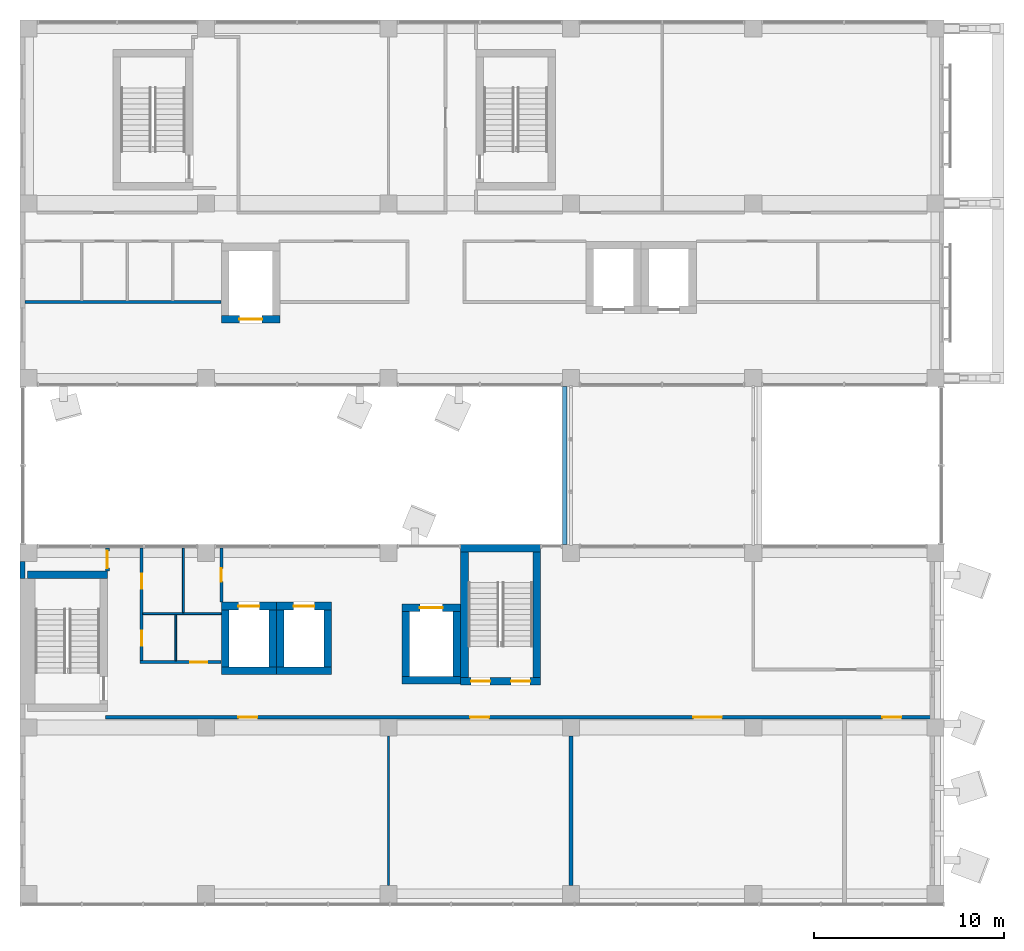
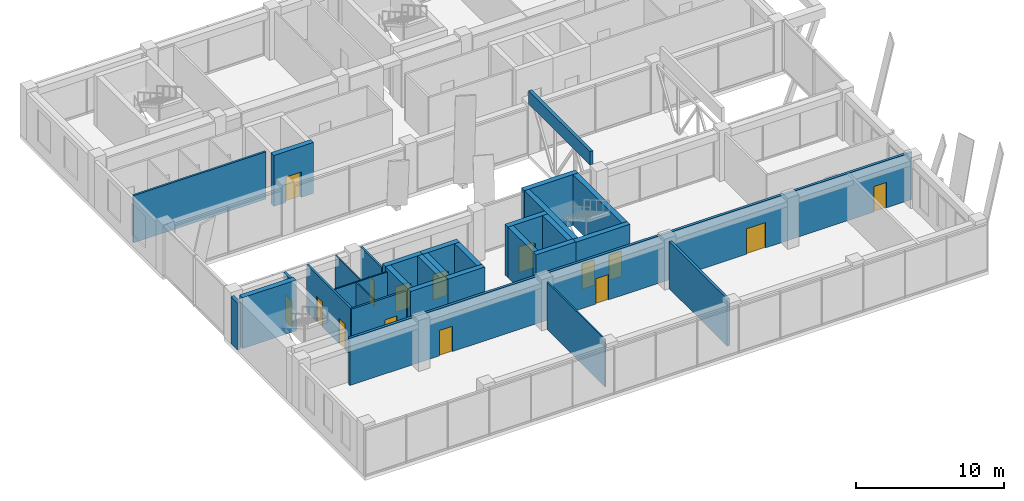
# One storey, part 28 of 38: 31 walls, 15 doors, 15 openings.
"""IFC4 building model written with IfcOpenShell, lengths in metres."""

from ifc_helpers import new_model, si_unit, direction, frame, frame_2d, origin, place, context, subcontext, project, spatial, rectangle, extrude, material, layer, layer_set, layer_usage, type_object, element, fill, save


model = new_model("IFC4")

# Units and contexts
model_context = context("Model", 3, precision=1e-05, world=origin(), true_north=direction((0.0, 1.0)))
body_context = subcontext(model_context, "Body", "Model", "MODEL_VIEW")
ifc_project = project(units=[si_unit("LENGTHUNIT", "METRE"), si_unit("AREAUNIT", "SQUARE_METRE"), si_unit("VOLUMEUNIT", "CUBIC_METRE"), si_unit("PLANEANGLEUNIT", "RADIAN"), si_unit("MASSUNIT", "GRAM", prefix="KILO")], contexts=[model_context])

# Site, building, storey
site_placement = place(None, origin())
site = spatial("IfcSite", under=ifc_project, at=site_placement, CompositionType="ELEMENT")
building_placement = place(site_placement, origin())
building = spatial("IfcBuilding", under=site, at=building_placement, Name="Nzadi Deep Aquarium and Research Tower", CompositionType="ELEMENT")
storey_placement = place(building_placement, frame((0.0, 0.0, 48.699951171875)))
storey = spatial("IfcBuildingStorey", under=building, at=storey_placement, Name="L09", CompositionType="ELEMENT", Elevation=48.699951171875)

# Walls
ifc_material_1 = material(Name="Graphite aluminium shingle", Category="aluminium")
ifc_layer_1 = layer(ifc_material_1, 0.050048828125, Category="cladding")
ifc_material_2 = material(Name="Concrete C35/45", Category="concrete")
ifc_layer_2 = layer(ifc_material_2, 0.10009765625, Category="cladding")
ifc_material_3 = material(Name="Mineral wool insulation")
ifc_layer_3 = layer(ifc_material_3, 0.070068359375, Category="insulation")
ifc_material_4 = material(Name="Gypsum board lining")
ifc_layer_4 = layer(ifc_material_4, 0.030029296875, Category="lining")
ifc_layer_set_1 = layer_set([ifc_layer_1, ifc_layer_2, ifc_layer_3, ifc_layer_4], Name="Graphite aluminium shingle, Concrete C35/45, Mineral wool insulation, Gypsum board lining")
ifc_layer_usage_1 = layer_usage(ifc_layer_set_1, "AXIS2", "POSITIVE", -0.125)
wall_type_1 = type_object("IfcWallType", Name="End wall shingle over board-formed concrete 250", PredefinedType="ELEMENTEDWALL", material=ifc_layer_set_1)
wall_1_placement = place(storey_placement, frame((-0.074462890625, 17.949951171875, 0.0), z_axis=(0.0, 0.0, 1.0), x_axis=(0.0, -1.0, 0.0)))
element("IfcWall", 1, at=wall_1_placement, inside=storey, type_object=wall_type_1, material=ifc_layer_usage_1, Name="End wall blade A west L09", PredefinedType="ELEMENTEDWALL", context=body_context, shape_type="SweptSolid", body=[
    extrude(rectangle(XDim=0.89990234375, YDim=0.25, at=frame_2d((0.449951171875, 0.0))), origin(), (0.0, 0.0, 1.0), 3.900146484375),
])
ifc_layer_5 = layer(ifc_material_2, 0.25, Category="structure")
ifc_layer_set_2 = layer_set([ifc_layer_5], Name="Concrete C35/45")
ifc_layer_usage_2 = layer_usage(ifc_layer_set_2, "AXIS2", "POSITIVE", -0.125)
wall_type_2 = type_object("IfcWallType", Name="Parapet board-formed concrete 250 link bridge roof", PredefinedType="PARAPET", material=ifc_layer_set_2)
wall_2_placement = place(storey_placement, frame((28.47509765625, 27.14990234375, 4.199951171875), z_axis=(0.0, 0.0, 1.0), x_axis=(0.0, -1.0, 0.0)))
element("IfcWall", 2, at=wall_2_placement, inside=storey, type_object=wall_type_2, material=ifc_layer_usage_2, Name="Parapet", PredefinedType="PARAPET", context=body_context, shape_type="SweptSolid", body=[
    extrude(rectangle(XDim=8.2998046875, YDim=0.25, at=frame_2d((4.14990234375, 0.0))), origin(), (0.0, 0.0, 1.0), 1.10009765625),
])
ifc_material_5 = material(Name="Blockwork masonry", Category="masonry")
ifc_layer_6 = layer(ifc_material_5, 0.10009765625)
ifc_layer_set_3 = layer_set([ifc_layer_6], Name="Blockwork masonry")
wall_type_3 = type_object("IfcWallType", Name="Partition 100 EI 30", PredefinedType="PARTITIONING", material=ifc_layer_set_3)
wall_3_placement = place(storey_placement, frame((6.27490234375, 15.199951171875, 0.0), z_axis=(0.0, 0.0, 1.0), x_axis=(1.0, 0.0, 0.0)))
element("IfcWall", 3, at=wall_3_placement, inside=storey, type_object=wall_type_3, Name="W-Z1-L09-P010", PredefinedType="PARTITIONING", context=body_context, shape_type="SweptSolid", body=[
    extrude(rectangle(XDim=4.119140625, YDim=0.10009765625, at=frame_2d((2.0595703125, 0.0))), origin(), (0.0, 0.0, 1.0), 3.900146484375),
])
wall_4_placement = place(storey_placement, frame((8.0, 12.72509765625, 0.0), z_axis=(0.0, 0.0, 1.0), x_axis=(0.0, 1.0, 0.0)))
element("IfcWall", 4, at=wall_4_placement, inside=storey, type_object=wall_type_3, Name="W-Z1-L09-P012", PredefinedType="PARTITIONING", context=body_context, shape_type="SweptSolid", body=[
    extrude(rectangle(XDim=2.4248046875, YDim=0.10009765625, at=frame_2d((1.21240234375, 0.0))), origin(), (0.0, 0.0, 1.0), 3.900146484375),
])
wall_5_placement = place(storey_placement, frame((8.39990234375, 15.25, 0.0), z_axis=(0.0, 0.0, 1.0), x_axis=(0.0, 1.0, 0.0)))
element("IfcWall", 5, at=wall_5_placement, inside=storey, type_object=wall_type_3, Name="W-Z1-L09-P013", PredefinedType="PARTITIONING", context=body_context, shape_type="SweptSolid", body=[
    extrude(rectangle(XDim=3.39404296875, YDim=0.10009765625, at=frame_2d((1.697021484375, 0.0))), origin(), (0.0, 0.0, 1.0), 3.900146484375),
])
wall_6_placement = place(storey_placement, frame((19.199951171875, 0.89990234375, 0.0), z_axis=(0.0, 0.0, 1.0), x_axis=(0.0, 1.0, 0.0)))
element("IfcWall", 6, at=wall_6_placement, inside=storey, type_object=wall_type_3, Name="W-Z1-L09-P023", PredefinedType="PARTITIONING", context=body_context, shape_type="SweptSolid", body=[
    extrude(rectangle(XDim=7.85009765625, YDim=0.10009765625, at=frame_2d((3.925048828125, 0.0))), origin(), (0.0, 0.0, 1.0), 3.900146484375),
])
ifc_material_6 = material(Name="Blockwork masonry", Category="masonry")
ifc_layer_7 = layer(ifc_material_6, 0.14990234375)
ifc_layer_set_4 = layer_set([ifc_layer_7], Name="Blockwork masonry")
wall_type_4 = type_object("IfcWallType", Name="Partition 150 EI 60", PredefinedType="PARTITIONING", material=ifc_layer_set_4)
wall_7_placement = place(storey_placement, frame((0.055908203125, 31.60009765625, 0.0), z_axis=(0.0, 0.0, 1.0), x_axis=(1.0, 0.0, 0.0)))
element("IfcWall", 7, at=wall_7_placement, inside=storey, type_object=wall_type_4, Name="W-Z1-L09-P001", PredefinedType="PARTITIONING", context=body_context, shape_type="SweptSolid", body=[
    extrude(rectangle(XDim=10.338134765625, YDim=0.14990234375, at=frame_2d((5.1689453125, 0.0))), origin(), (0.0, 0.0, 1.0), 3.900146484375),
])

# Wall, opening, door
wall_8_placement = place(storey_placement, frame((6.125, 12.64990234375, 0.0), z_axis=(0.0, 0.0, 1.0), x_axis=(1.0, 0.0, 0.0)))
wall_8 = element("IfcWall", 8, at=wall_8_placement, inside=storey, type_object=wall_type_4, Name="W-Z1-L09-P008", PredefinedType="PARTITIONING", context=body_context, shape_type="SweptSolid", body=[
    extrude(rectangle(XDim=4.26904296875, YDim=0.14990234375, at=frame_2d((2.134521484375, 0.0))), origin(), (0.0, 0.0, 1.0), 3.900146484375),
])
opening_1_placement = place(wall_8_placement, frame((2.625, 0.0, 0.0)))
opening_1 = element("IfcOpeningElement", 9, at=opening_1_placement, cuts=wall_8, Name="Opening D101003", PredefinedType="OPENING", context=body_context, shape_type="SweptSolid", body=[
    extrude(rectangle(XDim=0.89990234375, YDim=2.10009765625, at=frame_2d((0.449951171875, 1.050048828125))), frame((0.0, 0.0849609375, 0.0), z_axis=(0.0, -1.0, 0.0), x_axis=(1.0, 0.0, 0.0)), (0.0, 0.0, 1.0), 0.169921875),
])
ifc_material_7 = material(Name="Fire-rated steel door", Category="steel")
ifc_layer_8 = layer(ifc_material_7, 0.050048828125)
ifc_layer_set_5 = layer_set([ifc_layer_8], Name="Fire-rated steel door")
door_type_1 = type_object("IfcDoorType", Name="Door 900x2100 EI 60 single", OperationType="SINGLE_SWING_LEFT", PredefinedType="DOOR", material=ifc_layer_set_5)
door_1_placement = place(opening_1_placement, origin())
door_1 = element("IfcDoor", 10, at=door_1_placement, inside=storey, type_object=door_type_1, Name="D101003", OperationType="SINGLE_SWING_RIGHT", OverallHeight=2.10009765625, OverallWidth=0.89990234375, PredefinedType="DOOR", context=body_context, shape_type="SweptSolid", body=[
    extrude(rectangle(XDim=0.89990234375, YDim=2.10009765625, at=frame_2d((0.449951171875, 1.050048828125))), frame((0.0, 0.02490234375, 0.0), z_axis=(0.0, -1.0, 0.0), x_axis=(1.0, 0.0, 0.0)), (0.0, 0.0, 1.0), 0.050048828125),
])
fill(opening_1, door_1)

# Wall, openings, doors
wall_9_placement = place(storey_placement, frame((6.199951171875, 12.72509765625, 0.0), z_axis=(0.0, 0.0, 1.0), x_axis=(0.0, 1.0, 0.0)))
wall_9 = element("IfcWall", 11, at=wall_9_placement, inside=storey, type_object=wall_type_4, Name="W-Z1-L09-P009", PredefinedType="PARTITIONING", context=body_context, shape_type="SweptSolid", body=[
    extrude(rectangle(XDim=5.9189453125, YDim=0.14990234375, at=frame_2d((2.95947265625, 0.0))), origin(), (0.0, 0.0, 1.0), 3.900146484375),
])
opening_2_placement = place(wall_9_placement, frame((0.77490234375, 0.0, 0.0)))
opening_2 = element("IfcOpeningElement", 12, at=opening_2_placement, cuts=wall_9, Name="Opening D101002", PredefinedType="OPENING", context=body_context, shape_type="SweptSolid", body=[
    extrude(rectangle(XDim=0.800048828125, YDim=2.10009765625, at=frame_2d((0.39990234375, 1.050048828125))), frame((0.0, 0.0849609375, 0.0), z_axis=(0.0, -1.0, 0.0), x_axis=(1.0, 0.0, 0.0)), (0.0, 0.0, 1.0), 0.169921875),
])
opening_3_placement = place(wall_9_placement, frame((3.77490234375, 0.0, 0.0)))
opening_3 = element("IfcOpeningElement", 13, at=opening_3_placement, cuts=wall_9, Name="Opening D101004", PredefinedType="OPENING", context=body_context, shape_type="SweptSolid", body=[
    extrude(rectangle(XDim=0.800048828125, YDim=2.10009765625, at=frame_2d((0.39990234375, 1.050048828125))), frame((0.0, 0.0849609375, 0.0), z_axis=(0.0, -1.0, 0.0), x_axis=(1.0, 0.0, 0.0)), (0.0, 0.0, 1.0), 0.169921875),
])
ifc_material_8 = material(Name="Fire-rated steel door", Category="steel")
ifc_layer_9 = layer(ifc_material_8, 0.050048828125)
ifc_layer_set_6 = layer_set([ifc_layer_9], Name="Fire-rated steel door")
door_type_2 = type_object("IfcDoorType", Name="Door 800x2100 EI 60 single", OperationType="SINGLE_SWING_LEFT", PredefinedType="DOOR", material=ifc_layer_set_6)
door_2_placement = place(opening_2_placement, origin())
door_2 = element("IfcDoor", 14, at=door_2_placement, inside=storey, type_object=door_type_2, Name="D101002", OperationType="SINGLE_SWING_LEFT", OverallHeight=2.10009765625, OverallWidth=0.800048828125, PredefinedType="DOOR", context=body_context, shape_type="SweptSolid", body=[
    extrude(rectangle(XDim=0.800048828125, YDim=2.10009765625, at=frame_2d((0.39990234375, 1.050048828125))), frame((0.0, 0.02490234375, 0.0), z_axis=(0.0, -1.0, 0.0), x_axis=(1.0, 0.0, 0.0)), (0.0, 0.0, 1.0), 0.050048828125),
])
fill(opening_2, door_2)
door_3_placement = place(opening_3_placement, origin())
door_3 = element("IfcDoor", 15, at=door_3_placement, inside=storey, type_object=door_type_2, Name="D101004", OperationType="SINGLE_SWING_LEFT", OverallHeight=2.10009765625, OverallWidth=0.800048828125, PredefinedType="DOOR", context=body_context, shape_type="SweptSolid", body=[
    extrude(rectangle(XDim=0.800048828125, YDim=2.10009765625, at=frame_2d((0.39990234375, 1.050048828125))), frame((0.0, 0.02490234375, 0.0), z_axis=(0.0, -1.0, 0.0), x_axis=(1.0, 0.0, 0.0)), (0.0, 0.0, 1.0), 0.050048828125),
])
fill(opening_3, door_3)

# Wall, opening, door
wall_10_placement = place(storey_placement, frame((10.39990234375, 15.805908203125, 0.0), z_axis=(0.0, 0.0, 1.0), x_axis=(0.0, 1.0, 0.0)))
wall_10 = element("IfcWall", 16, at=wall_10_placement, inside=storey, type_object=wall_type_4, Name="W-Z1-L09-P018", PredefinedType="PARTITIONING", context=body_context, shape_type="SweptSolid", body=[
    extrude(rectangle(XDim=2.838134765625, YDim=0.14990234375, at=frame_2d((1.4189453125, 0.0))), origin(), (0.0, 0.0, 1.0), 3.900146484375),
])
opening_4_placement = place(wall_10_placement, frame((1.073974609375, 0.0, 0.0)))
opening_4 = element("IfcOpeningElement", 17, at=opening_4_placement, cuts=wall_10, Name="Opening D101005", PredefinedType="OPENING", context=body_context, shape_type="SweptSolid", body=[
    extrude(rectangle(XDim=0.699951171875, YDim=2.10009765625, at=frame_2d((0.35009765625, 1.050048828125))), frame((0.0, 0.0849609375, 0.0), z_axis=(0.0, -1.0, 0.0), x_axis=(1.0, 0.0, 0.0)), (0.0, 0.0, 1.0), 0.169921875),
])
ifc_material_9 = material(Name="Fire-rated steel door", Category="steel")
ifc_layer_10 = layer(ifc_material_9, 0.050048828125)
ifc_layer_set_7 = layer_set([ifc_layer_10], Name="Fire-rated steel door")
door_type_3 = type_object("IfcDoorType", Name="Door 700x2100 EI 60 single", OperationType="SINGLE_SWING_LEFT", PredefinedType="DOOR", material=ifc_layer_set_7)
door_4_placement = place(opening_4_placement, origin())
door_4 = element("IfcDoor", 18, at=door_4_placement, inside=storey, type_object=door_type_3, Name="D101005", OperationType="SINGLE_SWING_LEFT", OverallHeight=2.10009765625, OverallWidth=0.699951171875, PredefinedType="DOOR", context=body_context, shape_type="SweptSolid", body=[
    extrude(rectangle(XDim=0.699951171875, YDim=2.10009765625, at=frame_2d((0.35009765625, 1.050048828125))), frame((0.0, 0.02490234375, 0.0), z_axis=(0.0, -1.0, 0.0), x_axis=(1.0, 0.0, 0.0)), (0.0, 0.0, 1.0), 0.050048828125),
])
fill(opening_4, door_4)

# Wall, openings, doors
ifc_material_10 = material(Name="Blockwork masonry", Category="masonry")
ifc_layer_11 = layer(ifc_material_10, 0.199951171875)
ifc_layer_set_8 = layer_set([ifc_layer_11], Name="Blockwork masonry")
wall_type_5 = type_object("IfcWallType", Name="Partition 200 EI 120", PredefinedType="PARTITIONING", material=ifc_layer_set_8)
wall_11_placement = place(storey_placement, frame((4.300048828125, 9.75, 0.0), z_axis=(0.0, 0.0, 1.0), x_axis=(1.0, 0.0, 0.0)))
wall_11 = element("IfcWall", 19, at=wall_11_placement, inside=storey, type_object=wall_type_5, Name="W-Z1-L09-P005", PredefinedType="PARTITIONING", context=body_context, shape_type="SweptSolid", body=[
    extrude(rectangle(XDim=43.89404296875, YDim=0.199951171875, at=frame_2d((21.947021484375, 0.0))), origin(), (0.0, 0.0, 1.0), 3.900146484375),
])
opening_5_placement = place(wall_11_placement, frame((7.0, 0.0, 0.0)))
opening_5 = element("IfcOpeningElement", 20, at=opening_5_placement, cuts=wall_11, Name="Opening D101006", PredefinedType="OPENING", context=body_context, shape_type="SweptSolid", body=[
    extrude(rectangle(XDim=1.0, YDim=2.10009765625, at=frame_2d((0.5, 1.050048828125))), frame((0.0, 0.110107421875, 0.0), z_axis=(0.0, -1.0, 0.0), x_axis=(1.0, 0.0, 0.0)), (0.0, 0.0, 1.0), 0.22021484375),
])
opening_6_placement = place(wall_11_placement, frame((19.199951171875, 0.0, 0.0)))
opening_6 = element("IfcOpeningElement", 21, at=opening_6_placement, cuts=wall_11, Name="Opening D101007", PredefinedType="OPENING", context=body_context, shape_type="SweptSolid", body=[
    extrude(rectangle(XDim=1.0, YDim=2.10009765625, at=frame_2d((0.5, 1.050048828125))), frame((0.0, 0.110107421875, 0.0), z_axis=(0.0, -1.0, 0.0), x_axis=(1.0, 0.0, 0.0)), (0.0, 0.0, 1.0), 0.22021484375),
])
opening_7_placement = place(wall_11_placement, frame((30.949951171875, 0.0, 0.0)))
opening_7 = element("IfcOpeningElement", 22, at=opening_7_placement, cuts=wall_11, Name="Opening D101008", PredefinedType="OPENING", context=body_context, shape_type="SweptSolid", body=[
    extrude(rectangle(XDim=1.5, YDim=2.10009765625, at=frame_2d((0.75, 1.050048828125))), frame((0.0, 0.110107421875, 0.0), z_axis=(0.0, -1.0, 0.0), x_axis=(1.0, 0.0, 0.0)), (0.0, 0.0, 1.0), 0.22021484375),
])
opening_8_placement = place(wall_11_placement, frame((40.89990234375, 0.0, 0.0)))
opening_8 = element("IfcOpeningElement", 23, at=opening_8_placement, cuts=wall_11, Name="Opening D101009", PredefinedType="OPENING", context=body_context, shape_type="SweptSolid", body=[
    extrude(rectangle(XDim=1.0, YDim=2.10009765625, at=frame_2d((0.5, 1.050048828125))), frame((0.0, 0.110107421875, 0.0), z_axis=(0.0, -1.0, 0.0), x_axis=(1.0, 0.0, 0.0)), (0.0, 0.0, 1.0), 0.22021484375),
])
ifc_material_11 = material(Name="Fire-rated steel door", Category="steel")
ifc_layer_12 = layer(ifc_material_11, 0.050048828125)
ifc_layer_set_9 = layer_set([ifc_layer_12], Name="Fire-rated steel door")
door_type_4 = type_object("IfcDoorType", Name="Door 1000x2100 EI 120 single", OperationType="SINGLE_SWING_LEFT", PredefinedType="DOOR", material=ifc_layer_set_9)
door_5_placement = place(opening_5_placement, origin())
door_5 = element("IfcDoor", 24, at=door_5_placement, inside=storey, type_object=door_type_4, Name="D101006", OperationType="SINGLE_SWING_RIGHT", OverallHeight=2.10009765625, OverallWidth=1.0, PredefinedType="DOOR", context=body_context, shape_type="SweptSolid", body=[
    extrude(rectangle(XDim=1.0, YDim=2.10009765625, at=frame_2d((0.5, 1.050048828125))), frame((0.0, 0.02490234375, 0.0), z_axis=(0.0, -1.0, 0.0), x_axis=(1.0, 0.0, 0.0)), (0.0, 0.0, 1.0), 0.050048828125),
])
fill(opening_5, door_5)
door_6_placement = place(opening_6_placement, origin())
door_6 = element("IfcDoor", 25, at=door_6_placement, inside=storey, type_object=door_type_4, Name="D101007", OperationType="SINGLE_SWING_RIGHT", OverallHeight=2.10009765625, OverallWidth=1.0, PredefinedType="DOOR", context=body_context, shape_type="SweptSolid", body=[
    extrude(rectangle(XDim=1.0, YDim=2.10009765625, at=frame_2d((0.5, 1.050048828125))), frame((0.0, 0.02490234375, 0.0), z_axis=(0.0, -1.0, 0.0), x_axis=(1.0, 0.0, 0.0)), (0.0, 0.0, 1.0), 0.050048828125),
])
fill(opening_6, door_6)
door_7_placement = place(opening_8_placement, origin())
door_7 = element("IfcDoor", 26, at=door_7_placement, inside=storey, type_object=door_type_4, Name="D101009", OperationType="SINGLE_SWING_LEFT", OverallHeight=2.10009765625, OverallWidth=1.0, PredefinedType="DOOR", context=body_context, shape_type="SweptSolid", body=[
    extrude(rectangle(XDim=1.0, YDim=2.10009765625, at=frame_2d((0.5, 1.050048828125))), frame((0.0, 0.02490234375, 0.0), z_axis=(0.0, -1.0, 0.0), x_axis=(1.0, 0.0, 0.0)), (0.0, 0.0, 1.0), 0.050048828125),
])
fill(opening_8, door_7)
ifc_material_12 = material(Name="Fire-rated steel door", Category="steel")
ifc_layer_13 = layer(ifc_material_12, 0.050048828125)
ifc_layer_set_10 = layer_set([ifc_layer_13], Name="Fire-rated steel door")
door_type_5 = type_object("IfcDoorType", Name="Door 1500x2100 EI 120 double", OperationType="DOUBLE_DOOR_SINGLE_SWING", PredefinedType="DOOR", material=ifc_layer_set_10)
door_8_placement = place(opening_7_placement, origin())
door_8 = element("IfcDoor", 27, at=door_8_placement, inside=storey, type_object=door_type_5, Name="D101008", OperationType="DOUBLE_DOOR_SINGLE_SWING", OverallHeight=2.10009765625, OverallWidth=1.5, PredefinedType="DOOR", context=body_context, shape_type="SweptSolid", body=[
    extrude(rectangle(XDim=1.5, YDim=2.10009765625, at=frame_2d((0.75, 1.050048828125))), frame((0.0, 0.02490234375, 0.0), z_axis=(0.0, -1.0, 0.0), x_axis=(1.0, 0.0, 0.0)), (0.0, 0.0, 1.0), 0.050048828125),
])
fill(opening_7, door_8)

# Wall, opening, door
wall_12_placement = place(storey_placement, frame((4.39990234375, 17.4560546875, 0.0), z_axis=(0.0, 0.0, 1.0), x_axis=(0.0, 1.0, 0.0)))
wall_12 = element("IfcWall", 28, at=wall_12_placement, inside=storey, type_object=wall_type_5, Name="W-Z1-L09-P006", PredefinedType="PARTITIONING", context=body_context, shape_type="SweptSolid", body=[
    extrude(rectangle(XDim=1.18798828125, YDim=0.199951171875, at=frame_2d((0.593994140625, 0.0))), origin(), (0.0, 0.0, 1.0), 3.900146484375),
])
opening_9_placement = place(wall_12_placement, frame((0.14404296875, 0.0, 0.0)))
opening_9 = element("IfcOpeningElement", 29, at=opening_9_placement, cuts=wall_12, Name="Opening D101001", PredefinedType="OPENING", context=body_context, shape_type="SweptSolid", body=[
    extrude(rectangle(XDim=0.89990234375, YDim=2.10009765625, at=frame_2d((0.449951171875, 1.050048828125))), frame((0.0, 0.110107421875, 0.0), z_axis=(0.0, -1.0, 0.0), x_axis=(1.0, 0.0, 0.0)), (0.0, 0.0, 1.0), 0.22021484375),
])
ifc_material_13 = material(Name="Fire-rated steel door", Category="steel")
ifc_layer_14 = layer(ifc_material_13, 0.050048828125)
ifc_layer_set_11 = layer_set([ifc_layer_14], Name="Fire-rated steel door")
door_type_6 = type_object("IfcDoorType", Name="Door 900x2100 EI 120 single", OperationType="SINGLE_SWING_LEFT", PredefinedType="DOOR", material=ifc_layer_set_11)
door_9_placement = place(opening_9_placement, origin())
door_9 = element("IfcDoor", 30, at=door_9_placement, inside=storey, type_object=door_type_6, Name="D101001", OperationType="SINGLE_SWING_LEFT", OverallHeight=2.10009765625, OverallWidth=0.89990234375, PredefinedType="DOOR", context=body_context, shape_type="SweptSolid", body=[
    extrude(rectangle(XDim=0.89990234375, YDim=2.10009765625, at=frame_2d((0.449951171875, 1.050048828125))), frame((0.0, 0.02490234375, 0.0), z_axis=(0.0, -1.0, 0.0), x_axis=(1.0, 0.0, 0.0)), (0.0, 0.0, 1.0), 0.050048828125),
])
fill(opening_9, door_9)

# Walls
wall_13_placement = place(storey_placement, frame((28.800048828125, 0.89990234375, 0.0), z_axis=(0.0, 0.0, 1.0), x_axis=(0.0, 1.0, 0.0)))
element("IfcWall", 31, at=wall_13_placement, inside=storey, type_object=wall_type_5, Name="W-Z1-L09-P034", PredefinedType="PARTITIONING", context=body_context, shape_type="SweptSolid", body=[
    extrude(rectangle(XDim=7.85009765625, YDim=0.199951171875, at=frame_2d((3.925048828125, 0.0))), origin(), (0.0, 0.0, 1.0), 3.900146484375),
])
ifc_material_14 = material(Name="Concrete C35/45", Category="concrete")
ifc_layer_15 = layer(ifc_material_14, 0.39990234375)
ifc_layer_set_12 = layer_set([ifc_layer_15], Name="Concrete C35/45")
wall_type_6 = type_object("IfcWallType", Name="RC core wall 400", PredefinedType="SHEAR", material=ifc_layer_set_12)
wall_14_placement = place(storey_placement, frame((0.199951171875, 17.25, 0.0), z_axis=(0.0, 0.0, 1.0), x_axis=(1.0, 0.0, 0.0)))
element("IfcWall", 32, at=wall_14_placement, inside=storey, type_object=wall_type_6, Name="W-CORE-ST-Z1-SW-L09-N", PredefinedType="SHEAR", context=body_context, shape_type="SweptSolid", body=[
    extrude(rectangle(XDim=4.199951171875, YDim=0.39990234375, at=frame_2d((2.10009765625, 0.0))), origin(), (0.0, 0.0, 1.0), 4.199951171875),
])

# Wall, openings, doors
wall_15_placement = place(storey_placement, frame((23.0, 11.64990234375, 0.0), z_axis=(0.0, 0.0, 1.0), x_axis=(1.0, 0.0, 0.0)))
wall_15 = element("IfcWall", 33, at=wall_15_placement, inside=storey, type_object=wall_type_6, Name="W-CORE-ST-Z1-SE-L09-S", PredefinedType="SHEAR", context=body_context, shape_type="SweptSolid", body=[
    extrude(rectangle(XDim=4.199951171875, YDim=0.39990234375, at=frame_2d((2.10009765625, 0.0))), origin(), (0.0, 0.0, 1.0), 4.199951171875),
])
opening_10_placement = place(wall_15_placement, frame((0.550048828125, 0.0, 0.0)))
opening_10 = element("IfcOpeningElement", 34, at=opening_10_placement, cuts=wall_15, Name="Opening DS-Z1-SE-L09A", PredefinedType="OPENING", context=body_context, shape_type="SweptSolid", body=[
    extrude(rectangle(XDim=1.0, YDim=2.10009765625, at=frame_2d((0.5, 1.050048828125))), frame((0.0, 0.2099609375, 0.0), z_axis=(0.0, -1.0, 0.0), x_axis=(1.0, 0.0, 0.0)), (0.0, 0.0, 1.0), 0.419921875),
])
opening_11_placement = place(wall_15_placement, frame((2.64990234375, 0.0, 0.0)))
opening_11 = element("IfcOpeningElement", 35, at=opening_11_placement, cuts=wall_15, Name="Opening DS-Z1-SE-L09B", PredefinedType="OPENING", context=body_context, shape_type="SweptSolid", body=[
    extrude(rectangle(XDim=1.0, YDim=2.10009765625, at=frame_2d((0.5, 1.050048828125))), frame((0.0, 0.2099609375, 0.0), z_axis=(0.0, -1.0, 0.0), x_axis=(1.0, 0.0, 0.0)), (0.0, 0.0, 1.0), 0.419921875),
])
ifc_material_15 = material(Name="Steel, powder coated", Category="steel")
door_type_7 = type_object("IfcDoorType", Name="STAIR DOOR 1000x2100 EI 60", OperationType="SINGLE_SWING_LEFT", PredefinedType="DOOR", material=ifc_material_15)
door_10_placement = place(opening_10_placement, origin())
door_10 = element("IfcDoor", 36, at=door_10_placement, inside=storey, type_object=door_type_7, Name="Stair door ST-Z1-SE L09 A", OperationType="SINGLE_SWING_RIGHT", OverallHeight=2.10009765625, OverallWidth=1.0, PredefinedType="DOOR", context=body_context, shape_type="SweptSolid", body=[
    extrude(rectangle(XDim=1.0, YDim=2.10009765625, at=frame_2d((0.5, 1.050048828125))), frame((0.0, 0.02490234375, 0.0), z_axis=(0.0, -1.0, 0.0), x_axis=(1.0, 0.0, 0.0)), (0.0, 0.0, 1.0), 0.050048828125),
])
fill(opening_10, door_10)
door_11_placement = place(opening_11_placement, origin())
door_11 = element("IfcDoor", 37, at=door_11_placement, inside=storey, type_object=door_type_7, Name="Stair door ST-Z1-SE L09 B", OperationType="SINGLE_SWING_LEFT", OverallHeight=2.10009765625, OverallWidth=1.0, PredefinedType="DOOR", context=body_context, shape_type="SweptSolid", body=[
    extrude(rectangle(XDim=1.0, YDim=2.10009765625, at=frame_2d((0.5, 1.050048828125))), frame((0.0, 0.02490234375, 0.0), z_axis=(0.0, -1.0, 0.0), x_axis=(1.0, 0.0, 0.0)), (0.0, 0.0, 1.0), 0.050048828125),
])
fill(opening_11, door_11)

# Walls
wall_16_placement = place(storey_placement, frame((23.0, 18.64990234375, 0.0), z_axis=(0.0, 0.0, 1.0), x_axis=(1.0, 0.0, 0.0)))
element("IfcWall", 38, at=wall_16_placement, inside=storey, type_object=wall_type_6, Name="W-CORE-ST-Z1-SE-L09-N", PredefinedType="SHEAR", context=body_context, shape_type="SweptSolid", body=[
    extrude(rectangle(XDim=4.199951171875, YDim=0.39990234375, at=frame_2d((2.10009765625, 0.0))), origin(), (0.0, 0.0, 1.0), 4.199951171875),
])
for number, where, z_axis, x_axis, name in (
    (39, (23.199951171875, 11.85009765625, 0.0), (0.0, 0.0, 1.0), (0.0, 1.0, 0.0), "W-CORE-ST-Z1-SE-L09-W"),
    (40, (27.0, 11.85009765625, 0.0), (0.0, 0.0, 1.0), (0.0, 1.0, 0.0), "W-CORE-ST-Z1-SE-L09-E"),
):
    element("IfcWall", number, at=place(storey_placement, frame(where, z_axis=z_axis, x_axis=x_axis)), inside=storey, type_object=wall_type_6, Name=name, PredefinedType="SHEAR", context=body_context, shape_type="SweptSolid", body=[
        extrude(rectangle(XDim=6.599853515625, YDim=0.39990234375, at=frame_2d((3.2998046875, 0.0))), origin(), (0.0, 0.0, 1.0), 4.199951171875),
    ])
wall_17_placement = place(storey_placement, frame((10.39990234375, 12.199951171875, 0.0), z_axis=(0.0, 0.0, 1.0), x_axis=(1.0, 0.0, 0.0)))
element("IfcWall", 41, at=wall_17_placement, inside=storey, type_object=wall_type_6, Name="W-CORE-TL1-L09-S", PredefinedType="SHEAR", context=body_context, shape_type="SweptSolid", body=[
    extrude(rectangle(XDim=2.900146484375, YDim=0.39990234375, at=frame_2d((1.4501953125, 0.0))), origin(), (0.0, 0.0, 1.0), 4.199951171875),
])

# Wall, opening, door
wall_18_placement = place(storey_placement, frame((10.39990234375, 15.60009765625, 0.0), z_axis=(0.0, 0.0, 1.0), x_axis=(1.0, 0.0, 0.0)))
wall_18 = element("IfcWall", 42, at=wall_18_placement, inside=storey, type_object=wall_type_6, Name="W-CORE-TL1-L09-N", PredefinedType="SHEAR", context=body_context, shape_type="SweptSolid", body=[
    extrude(rectangle(XDim=2.900146484375, YDim=0.39990234375, at=frame_2d((1.4501953125, 0.0))), origin(), (0.0, 0.0, 1.0), 4.199951171875),
])
opening_12_placement = place(wall_18_placement, frame((0.89990234375, 0.0, 0.0)))
opening_12 = element("IfcOpeningElement", 43, at=opening_12_placement, cuts=wall_18, Name="Opening LD-TL1-L09", PredefinedType="OPENING", context=body_context, shape_type="SweptSolid", body=[
    extrude(rectangle(XDim=1.10009765625, YDim=2.10009765625, at=frame_2d((0.550048828125, 1.050048828125))), frame((0.0, 0.2099609375, 0.0), z_axis=(0.0, -1.0, 0.0), x_axis=(1.0, 0.0, 0.0)), (0.0, 0.0, 1.0), 0.419921875),
])
ifc_material_16 = material(Name="Stainless steel 1.4301", Category="steel")
door_type_8 = type_object("IfcDoorType", Name="LANDING DOOR 1100x2100", OperationType="DOUBLE_DOOR_SLIDING", PredefinedType="DOOR", material=ifc_material_16)
door_12_placement = place(opening_12_placement, origin())
door_12 = element("IfcDoor", 44, at=door_12_placement, inside=storey, type_object=door_type_8, Name="Landing door TL1 L09", OperationType="DOUBLE_DOOR_SLIDING", OverallHeight=2.10009765625, OverallWidth=1.10009765625, PredefinedType="DOOR", context=body_context, shape_type="SweptSolid", body=[
    extrude(rectangle(XDim=1.10009765625, YDim=2.10009765625, at=frame_2d((0.550048828125, 1.050048828125))), frame((0.0, 0.02490234375, 0.0), z_axis=(0.0, -1.0, 0.0), x_axis=(1.0, 0.0, 0.0)), (0.0, 0.0, 1.0), 0.050048828125),
])
fill(opening_12, door_12)

# Walls
for number, where, z_axis, x_axis, name in (
    (45, (10.60009765625, 12.39990234375, 0.0), (0.0, 0.0, 1.0), (0.0, 1.0, 0.0), "W-CORE-TL1-L09-W"),
    (46, (13.10009765625, 12.39990234375, 0.0), (0.0, 0.0, 1.0), (0.0, 1.0, 0.0), "W-CORE-TL1-L09-E"),
):
    element("IfcWall", number, at=place(storey_placement, frame(where, z_axis=z_axis, x_axis=x_axis)), inside=storey, type_object=wall_type_6, Name=name, PredefinedType="SHEAR", context=body_context, shape_type="SweptSolid", body=[
        extrude(rectangle(XDim=3.0, YDim=0.39990234375, at=frame_2d((1.5, 0.0))), origin(), (0.0, 0.0, 1.0), 4.199951171875),
    ])
wall_19_placement = place(storey_placement, frame((13.300048828125, 12.199951171875, 0.0), z_axis=(0.0, 0.0, 1.0), x_axis=(1.0, 0.0, 0.0)))
element("IfcWall", 47, at=wall_19_placement, inside=storey, type_object=wall_type_6, Name="W-CORE-TL2-L09-S", PredefinedType="SHEAR", context=body_context, shape_type="SweptSolid", body=[
    extrude(rectangle(XDim=2.89990234375, YDim=0.39990234375, at=frame_2d((1.449951171875, 0.0))), origin(), (0.0, 0.0, 1.0), 4.199951171875),
])

# Wall, opening, door
wall_20_placement = place(storey_placement, frame((13.300048828125, 15.60009765625, 0.0), z_axis=(0.0, 0.0, 1.0), x_axis=(1.0, 0.0, 0.0)))
wall_20 = element("IfcWall", 48, at=wall_20_placement, inside=storey, type_object=wall_type_6, Name="W-CORE-TL2-L09-N", PredefinedType="SHEAR", context=body_context, shape_type="SweptSolid", body=[
    extrude(rectangle(XDim=2.89990234375, YDim=0.39990234375, at=frame_2d((1.449951171875, 0.0))), origin(), (0.0, 0.0, 1.0), 4.199951171875),
])
opening_13_placement = place(wall_20_placement, frame((0.89990234375, 0.0, 0.0)))
opening_13 = element("IfcOpeningElement", 49, at=opening_13_placement, cuts=wall_20, Name="Opening LD-TL2-L09", PredefinedType="OPENING", context=body_context, shape_type="SweptSolid", body=[
    extrude(rectangle(XDim=1.10009765625, YDim=2.10009765625, at=frame_2d((0.550048828125, 1.050048828125))), frame((0.0, 0.2099609375, 0.0), z_axis=(0.0, -1.0, 0.0), x_axis=(1.0, 0.0, 0.0)), (0.0, 0.0, 1.0), 0.419921875),
])
door_13_placement = place(opening_13_placement, origin())
door_13 = element("IfcDoor", 50, at=door_13_placement, inside=storey, type_object=door_type_8, Name="Landing door TL2 L09", OperationType="DOUBLE_DOOR_SLIDING", OverallHeight=2.10009765625, OverallWidth=1.10009765625, PredefinedType="DOOR", context=body_context, shape_type="SweptSolid", body=[
    extrude(rectangle(XDim=1.10009765625, YDim=2.10009765625, at=frame_2d((0.550048828125, 1.050048828125))), frame((0.0, 0.02490234375, 0.0), z_axis=(0.0, -1.0, 0.0), x_axis=(1.0, 0.0, 0.0)), (0.0, 0.0, 1.0), 0.050048828125),
])
fill(opening_13, door_13)

# Walls
for number, where, z_axis, x_axis, name in (
    (51, (13.5, 12.39990234375, 0.0), (0.0, 0.0, 1.0), (0.0, 1.0, 0.0), "W-CORE-TL2-L09-W"),
    (52, (16.0, 12.39990234375, 0.0), (0.0, 0.0, 1.0), (0.0, 1.0, 0.0), "W-CORE-TL2-L09-E"),
):
    element("IfcWall", number, at=place(storey_placement, frame(where, z_axis=z_axis, x_axis=x_axis)), inside=storey, type_object=wall_type_6, Name=name, PredefinedType="SHEAR", context=body_context, shape_type="SweptSolid", body=[
        extrude(rectangle(XDim=3.0, YDim=0.39990234375, at=frame_2d((1.5, 0.0))), origin(), (0.0, 0.0, 1.0), 4.199951171875),
    ])
wall_21_placement = place(storey_placement, frame((19.89990234375, 11.699951171875, 0.0), z_axis=(0.0, 0.0, 1.0), x_axis=(1.0, 0.0, 0.0)))
element("IfcWall", 53, at=wall_21_placement, inside=storey, type_object=wall_type_6, Name="W-CORE-FL1-L09-S", PredefinedType="SHEAR", context=body_context, shape_type="SweptSolid", body=[
    extrude(rectangle(XDim=3.10009765625, YDim=0.39990234375, at=frame_2d((1.550048828125, 0.0))), origin(), (0.0, 0.0, 1.0), 4.199951171875),
])

# Wall, opening, door
wall_22_placement = place(storey_placement, frame((19.89990234375, 15.5, 0.0), z_axis=(0.0, 0.0, 1.0), x_axis=(1.0, 0.0, 0.0)))
wall_22 = element("IfcWall", 54, at=wall_22_placement, inside=storey, type_object=wall_type_6, Name="W-CORE-FL1-L09-N", PredefinedType="SHEAR", context=body_context, shape_type="SweptSolid", body=[
    extrude(rectangle(XDim=3.10009765625, YDim=0.39990234375, at=frame_2d((1.550048828125, 0.0))), origin(), (0.0, 0.0, 1.0), 4.199951171875),
])
opening_14_placement = place(wall_22_placement, frame((0.949951171875, 0.0, 0.0)))
opening_14 = element("IfcOpeningElement", 55, at=opening_14_placement, cuts=wall_22, Name="Opening LD-FL1-L09", PredefinedType="OPENING", context=body_context, shape_type="SweptSolid", body=[
    extrude(rectangle(XDim=1.199951171875, YDim=2.10009765625, at=frame_2d((0.60009765625, 1.050048828125))), frame((0.0, 0.2099609375, 0.0), z_axis=(0.0, -1.0, 0.0), x_axis=(1.0, 0.0, 0.0)), (0.0, 0.0, 1.0), 0.419921875),
])
ifc_material_17 = material(Name="Stainless steel 1.4301", Category="steel")
door_type_9 = type_object("IfcDoorType", Name="LANDING DOOR 1200x2100", OperationType="DOUBLE_DOOR_SLIDING", PredefinedType="DOOR", material=ifc_material_17)
door_14_placement = place(opening_14_placement, origin())
door_14 = element("IfcDoor", 56, at=door_14_placement, inside=storey, type_object=door_type_9, Name="Landing door FL1 L09", OperationType="DOUBLE_DOOR_SLIDING", OverallHeight=2.10009765625, OverallWidth=1.199951171875, PredefinedType="DOOR", context=body_context, shape_type="SweptSolid", body=[
    extrude(rectangle(XDim=1.199951171875, YDim=2.10009765625, at=frame_2d((0.60009765625, 1.050048828125))), frame((0.0, 0.02490234375, 0.0), z_axis=(0.0, -1.0, 0.0), x_axis=(1.0, 0.0, 0.0)), (0.0, 0.0, 1.0), 0.050048828125),
])
fill(opening_14, door_14)

# Walls
for number, where, z_axis, x_axis, name in (
    (57, (20.10009765625, 11.89990234375, 0.0), (0.0, 0.0, 1.0), (0.0, 1.0, 0.0), "W-CORE-FL1-L09-W"),
    (58, (22.800048828125, 11.89990234375, 0.0), (0.0, 0.0, 1.0), (0.0, 1.0, 0.0), "W-CORE-FL1-L09-E"),
):
    element("IfcWall", number, at=place(storey_placement, frame(where, z_axis=z_axis, x_axis=x_axis)), inside=storey, type_object=wall_type_6, Name=name, PredefinedType="SHEAR", context=body_context, shape_type="SweptSolid", body=[
        extrude(rectangle(XDim=3.400146484375, YDim=0.39990234375, at=frame_2d((1.7001953125, 0.0))), origin(), (0.0, 0.0, 1.0), 4.199951171875),
    ])

# Wall, opening, door
wall_23_placement = place(storey_placement, frame((10.39990234375, 30.699951171875, 0.0), z_axis=(0.0, 0.0, 1.0), x_axis=(1.0, 0.0, 0.0)))
wall_23 = element("IfcWall", 59, at=wall_23_placement, inside=storey, type_object=wall_type_6, Name="W-CORE-FL2-L09-S", PredefinedType="SHEAR", context=body_context, shape_type="SweptSolid", body=[
    extrude(rectangle(XDim=3.10009765625, YDim=0.39990234375, at=frame_2d((1.550048828125, 0.0))), origin(), (0.0, 0.0, 1.0), 4.199951171875),
])
opening_15_placement = place(wall_23_placement, frame((0.949951171875, 0.0, 0.0)))
opening_15 = element("IfcOpeningElement", 60, at=opening_15_placement, cuts=wall_23, Name="Opening LD-FL2-L09", PredefinedType="OPENING", context=body_context, shape_type="SweptSolid", body=[
    extrude(rectangle(XDim=1.199951171875, YDim=2.10009765625, at=frame_2d((0.60009765625, 1.050048828125))), frame((0.0, 0.2099609375, 0.0), z_axis=(0.0, -1.0, 0.0), x_axis=(1.0, 0.0, 0.0)), (0.0, 0.0, 1.0), 0.419921875),
])
door_15_placement = place(opening_15_placement, origin())
door_15 = element("IfcDoor", 61, at=door_15_placement, inside=storey, type_object=door_type_9, Name="Landing door FL2 L09", OperationType="DOUBLE_DOOR_SLIDING", OverallHeight=2.10009765625, OverallWidth=1.199951171875, PredefinedType="DOOR", context=body_context, shape_type="SweptSolid", body=[
    extrude(rectangle(XDim=1.199951171875, YDim=2.10009765625, at=frame_2d((0.60009765625, 1.050048828125))), frame((0.0, 0.02490234375, 0.0), z_axis=(0.0, -1.0, 0.0), x_axis=(1.0, 0.0, 0.0)), (0.0, 0.0, 1.0), 0.050048828125),
])
fill(opening_15, door_15)

save(model, "model.ifc")
